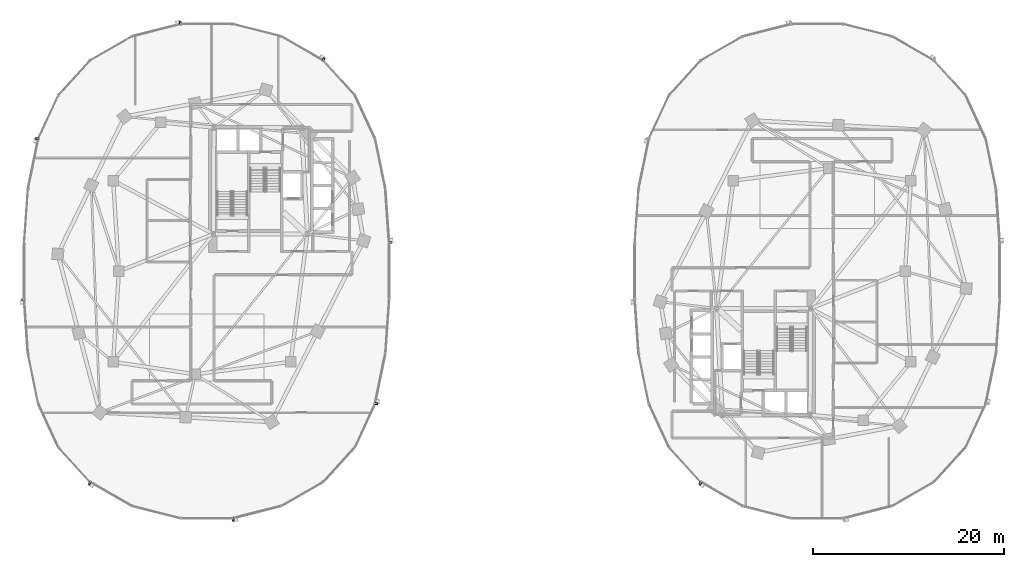
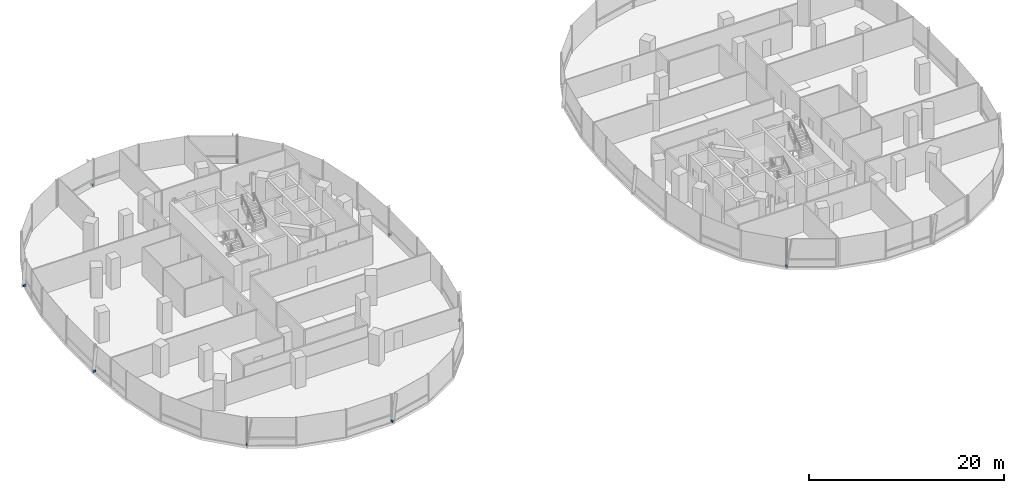
# One storey, part 15 of 21: 9 discrete accessories.
"""IFC4 building model written with IfcOpenShell, lengths in metres."""

from ifc_helpers import new_model, si_unit, direction, frame, origin, origin_2d, place, context, subcontext, project, spatial, rectangle, extrude, material, type_object, element, save


model = new_model("IFC4")

# Units and contexts
model_context = context("Model", 3, precision=1e-05, world=origin(), true_north=direction((0.0, 1.0)))
body_context = subcontext(model_context, "Body", "Model", "MODEL_VIEW")
ifc_project = project(units=[si_unit("LENGTHUNIT", "METRE"), si_unit("AREAUNIT", "SQUARE_METRE"), si_unit("VOLUMEUNIT", "CUBIC_METRE"), si_unit("PLANEANGLEUNIT", "RADIAN"), si_unit("MASSUNIT", "GRAM", prefix="KILO"), si_unit("THERMODYNAMICTEMPERATUREUNIT", "KELVIN"), si_unit("POWERUNIT", "WATT")], contexts=[model_context])

# Site, building, storey
site_placement = place(None, origin())
site = spatial("IfcSite", under=ifc_project, at=site_placement, CompositionType="ELEMENT")
building_placement = place(site_placement, origin())
building = spatial("IfcBuilding", under=site, at=building_placement, Name="Cundina Bronze Exchange", CompositionType="ELEMENT")
storey_placement = place(building_placement, frame((0.0, 0.0, 58.199951171875)))
storey = spatial("IfcBuildingStorey", under=building, at=storey_placement, Name="L14", CompositionType="ELEMENT", Elevation=58.199951171875)

# Discrete accessories
ifc_material = material(Name="Anodised Bronze Aluminium 6063-T6", Category="aluminium")
discrete_accessory_type = type_object("IfcDiscreteAccessoryType", Name="ACC-BRK-FIN", PredefinedType="BRACKET", material=ifc_material)
for number, where, z_axis, x_axis, name in (
    (1, (-12.735595703125, 2.986083984375, 0.10009765625), (0.0, 0.0, 1.0), (-0.070278787473, 0.997527389113, 0.0), "L14 Fin Support Bracket 1"),
    (2, (-19.740478515625, 22.21875, 0.10009765625), (0.0, 0.0, 1.0), (-0.867105478933, 0.498124571171, 0.0), "L14 Fin Support Bracket 5"),
    (3, (-34.76025390625, 26.03173828125, 0.10009765625), (0.0, 0.0, 1.0), (-0.969488149345, -0.245138182011, 0.0), "L14 Fin Support Bracket 1"),
    (4, (-49.788330078125, 13.8896484375, 0.10009765625), (0.0, 0.0, 1.0), (-0.201419845156, -0.979505000486, 0.0), "L14 Fin Support Bracket 5"),
    (5, (-51.264404296875, -2.986083984375, 0.10009765625), (0.0, 0.0, 1.0), (0.070278787473, -0.997527389113, 0.0), "L14 Fin Support Bracket 1"),
    (6, (-44.259521484375, -22.21875, 0.10009765625), (0.0, 0.0, 1.0), (0.867105478933, -0.498124571171, 0.0), "L14 Fin Support Bracket 5"),
    (7, (-29.23974609375, -26.03173828125, 0.10009765625), (0.0, 0.0, 1.0), (0.969488149345, 0.245138182011, 0.0), "L14 Fin Support Bracket 1"),
    (8, (-14.211669921875, -13.8896484375, 0.10009765625), (0.0, 0.0, 1.0), (0.201419845156, 0.979505000486, 0.0), "L14 Fin Support Bracket 5"),
    (9, (19.740478515625, -22.21875, 0.10009765625), (0.0, 0.0, 1.0), (0.867105478933, -0.498124571171, 0.0), "L14 Fin Support Bracket 5"),
):
    element("IfcDiscreteAccessory", number, at=place(storey_placement, frame(where, z_axis=z_axis, x_axis=x_axis)), inside=storey, type_object=discrete_accessory_type, Name=name, PredefinedType="BRACKET", context=body_context, shape_type="SweptSolid", body=[
        extrude(rectangle(XDim=0.219970703125, YDim=0.320068359375, at=origin_2d()), origin(), (0.0, 0.0, 1.0), 0.239990234375),
    ])

save(model, "model.ifc")
